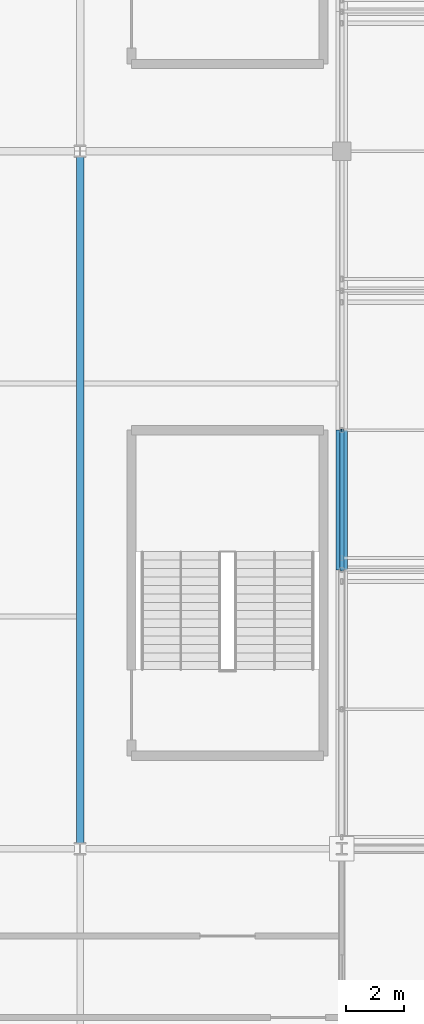
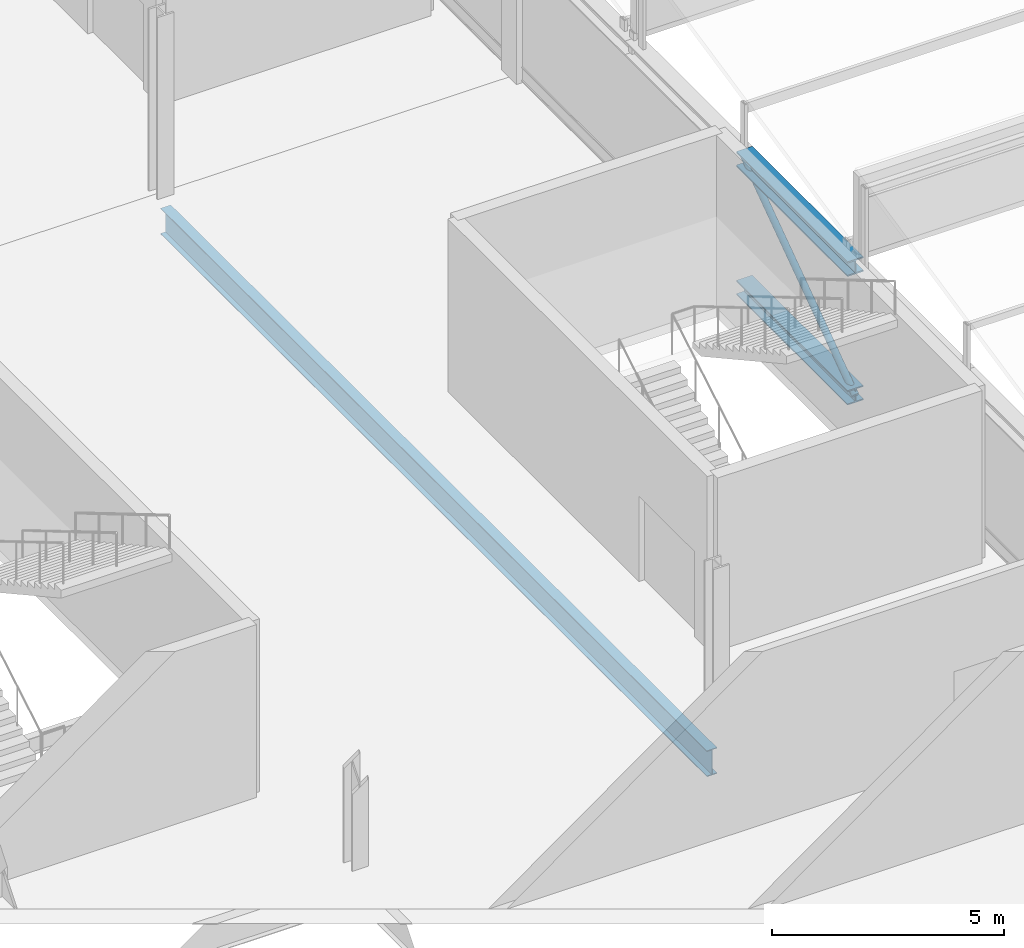
# One storey, part 16 of 136: 3 beams, 1 member.
"""IFC4 building model written with IfcOpenShell, lengths in metres."""

from ifc_helpers import new_model, si_unit, direction, frame, origin, origin_2d, place, context, subcontext, project, spatial, hollow_circle, i_section, extrude, material, material_profile, profile_set, type_object, element, save


model = new_model("IFC4")

# Units and contexts
model_context = context("Model", 3, precision=1e-05, world=origin(), true_north=direction((0.0, 1.0)))
body_context = subcontext(model_context, "Body", "Model", "MODEL_VIEW")
ifc_project = project(units=[si_unit("LENGTHUNIT", "METRE"), si_unit("AREAUNIT", "SQUARE_METRE"), si_unit("VOLUMEUNIT", "CUBIC_METRE"), si_unit("PLANEANGLEUNIT", "RADIAN"), si_unit("MASSUNIT", "GRAM", prefix="KILO")], contexts=[model_context])

# Site, building, storey
site_placement = place(None, origin())
site = spatial("IfcSite", under=ifc_project, at=site_placement, CompositionType="ELEMENT")
building_placement = place(site_placement, origin())
building = spatial("IfcBuilding", under=site, at=building_placement, Name="Kisiwana Market Hall", CompositionType="ELEMENT")
storey_placement = place(building_placement, frame((0.0, 0.0, 16.800048828125)))
storey = spatial("IfcBuildingStorey", under=building, at=storey_placement, Name="L03", CompositionType="ELEMENT", Elevation=16.800048828125)

# Beams
ifc_material_1 = material(Name="Steel S355", Category="steel")
ifc_material_profile_1 = material_profile(ifc_material_1, i_section(OverallWidth=0.253662109375, OverallDepth=0.68359375, WebThickness=0.012451171875, FlangeThickness=0.01904296875, at=origin_2d()), Name="UB 686x254x140")
ifc_profile_set_1 = profile_set([ifc_material_profile_1], Name="Steel S355")
beam_type_1 = type_object("IfcBeamType", Name="BM-GIRD-UB686", PredefinedType="BEAM", material=ifc_profile_set_1)
beam_1_placement = place(storey_placement, frame((36.0, 36.2041015625, -0.591796875), z_axis=(0.0, 1.0, 0.0), x_axis=(-1.0, 0.0, 0.0)))
element("IfcBeam", 1, at=beam_1_placement, inside=storey, type_object=beam_type_1, Name="Primary girder B-0870", PredefinedType="BEAM", context=body_context, shape_type="SweptSolid", body=[
    extrude(i_section(OverallWidth=0.253662109375, OverallDepth=0.68359375, WebThickness=0.012451171875, FlangeThickness=0.01904296875, at=origin_2d()), origin(), (0.0, 0.0, 1.0), 23.591796875),
])
ifc_material_2 = material(Name="Steel S355", Category="steel")
ifc_material_profile_2 = material_profile(ifc_material_2, i_section(OverallWidth=0.394775390625, OverallDepth=0.381103515625, WebThickness=0.018310546875, FlangeThickness=0.0302734375, at=origin_2d()), Name="UC 356x406x235")
ifc_profile_set_2 = profile_set([ifc_material_profile_2], Name="Steel S355")
beam_type_2 = type_object("IfcBeamType", Name="BM-TRUSS-BOT", PredefinedType="USERDEFINED", material=ifc_profile_set_2)
beam_2_placement = place(storey_placement, frame((45.0, 45.60009765625, 0.22998046875), z_axis=(0.0, 1.0, 0.0), x_axis=(-1.0, 0.0, 0.0)))
element("IfcBeam", 2, at=beam_2_placement, inside=storey, type_object=beam_type_2, Name="TR-01 BC panel 3 B-1180", ObjectType="ROOF TRUSS", PredefinedType="USERDEFINED", context=body_context, shape_type="SweptSolid", body=[
    extrude(i_section(OverallWidth=0.394775390625, OverallDepth=0.381103515625, WebThickness=0.018310546875, FlangeThickness=0.0302734375, at=origin_2d()), origin(), (0.0, 0.0, 1.0), 4.7998046875),
])
ifc_material_3 = material(Name="Steel S355", Category="steel")
ifc_material_profile_3 = material_profile(ifc_material_3, i_section(OverallWidth=0.39892578125, OverallDepth=0.3935546875, WebThickness=0.022705078125, FlangeThickness=0.03662109375, at=origin_2d()), Name="UC 356x406x287")
ifc_profile_set_3 = profile_set([ifc_material_profile_3], Name="Steel S355")
beam_type_3 = type_object("IfcBeamType", Name="BM-TRUSS-TOP", PredefinedType="USERDEFINED", material=ifc_profile_set_3)
beam_3_placement = place(storey_placement, frame((45.0, 45.60009765625, 3.619873046875), z_axis=(0.0, 1.0, 0.0), x_axis=(-1.0, 0.0, 0.0)))
element("IfcBeam", 3, at=beam_3_placement, inside=storey, type_object=beam_type_3, Name="TR-01 TC panel 3 B-1190", ObjectType="ROOF TRUSS", PredefinedType="USERDEFINED", context=body_context, shape_type="SweptSolid", body=[
    extrude(i_section(OverallWidth=0.39892578125, OverallDepth=0.3935546875, WebThickness=0.022705078125, FlangeThickness=0.03662109375, at=origin_2d()), origin(), (0.0, 0.0, 1.0), 4.7998046875),
])

# Member
ifc_material_4 = material(Name="Steel S355", Category="steel")
ifc_material_profile_4 = material_profile(ifc_material_4, hollow_circle(Radius=0.084228515625, WallThickness=0.010009765625, at=origin_2d()), Name="CHS 168.3x10.0")
ifc_profile_set_4 = profile_set([ifc_material_profile_4], Name="Steel S355")
member_type = type_object("IfcMemberType", Name="MB-TR-DIAG168", PredefinedType="BRACE", material=ifc_profile_set_4)
member_placement = place(storey_placement, frame((45.0, 45.60009765625, 0.22998046875), z_axis=(0.0, 0.816823908826, 0.576887079046), x_axis=(-1.0, 0.0, 0.0)))
element("IfcMember", 4, at=member_placement, inside=storey, type_object=member_type, Name="TR-01 diagonal 3 M-0339", PredefinedType="BRACE", context=body_context, shape_type="SweptSolid", body=[
    extrude(hollow_circle(Radius=0.084228515625, WallThickness=0.010009765625, at=origin_2d()), origin(), (0.0, 0.0, 1.0), 5.876220703125),
])

save(model, "model.ifc")
